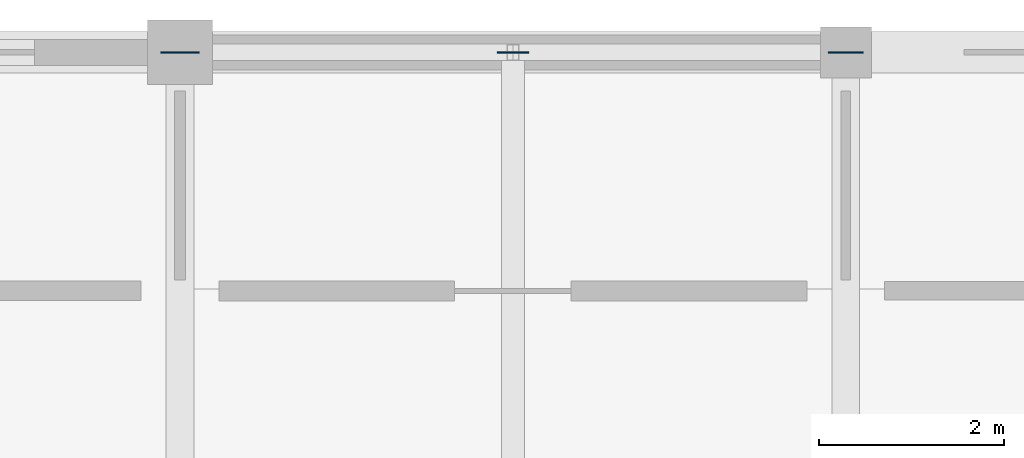
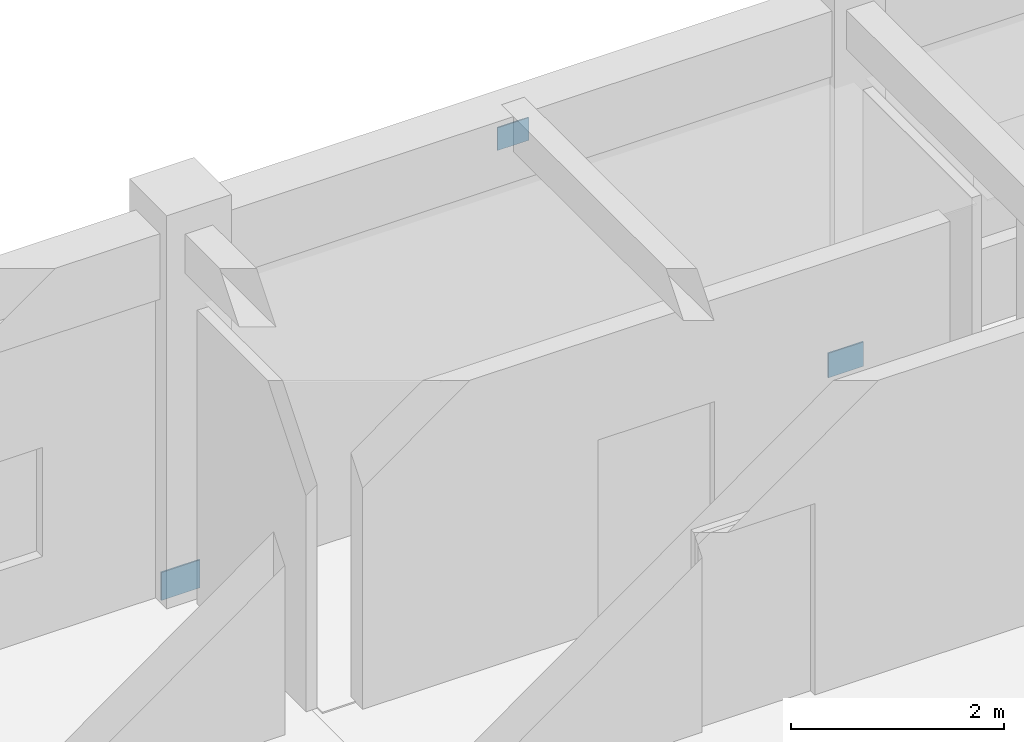
# One storey, part 114 of 171: 3 plates.
"""IFC4 building model written with IfcOpenShell, lengths in metres."""

from ifc_helpers import new_model, si_unit, direction, frame, origin, origin_2d, place, context, subcontext, project, spatial, rectangle, extrude, material, layer, layer_set, type_object, element, save


model = new_model("IFC4")

# Units and contexts
model_context = context("Model", 3, precision=1e-05, world=origin(), true_north=direction((0.0, 1.0)))
body_context = subcontext(model_context, "Body", "Model", "MODEL_VIEW")
ifc_project = project(units=[si_unit("LENGTHUNIT", "METRE"), si_unit("AREAUNIT", "SQUARE_METRE"), si_unit("VOLUMEUNIT", "CUBIC_METRE"), si_unit("PLANEANGLEUNIT", "RADIAN"), si_unit("MASSUNIT", "GRAM", prefix="KILO")], contexts=[model_context])

# Site, building, storey
site_placement = place(None, origin())
site = spatial("IfcSite", under=ifc_project, at=site_placement, CompositionType="ELEMENT")
building_placement = place(site_placement, origin())
building = spatial("IfcBuilding", under=site, at=building_placement, Name="Aldebral Square Health Centre", CompositionType="ELEMENT")
storey_placement = place(building_placement, frame((0.0, 0.0, 4.5)))
storey = spatial("IfcBuildingStorey", under=building, at=storey_placement, Name="L01", CompositionType="ELEMENT", Elevation=4.5)

# Plates
ifc_material = material(Name="Steel S355JR", Category="steel")
ifc_layer_1 = layer(ifc_material, 0.01611328125, Name="Steel S355JR", Category="steel")
ifc_layer_set_1 = layer_set([ifc_layer_1], Name="Steel S355JR")
plate_type_1 = type_object("IfcPlateType", Name="PL-GUS-1", PredefinedType="USERDEFINED", material=ifc_layer_set_1)
plate_1_placement = place(storey_placement, frame((28.800048828125, 115.199951171875, -0.16015625), z_axis=(0.0, 0.0, 1.0), x_axis=(1.0, 0.0, 0.0)))
element("IfcPlate", 1, at=plate_1_placement, inside=storey, type_object=plate_type_1, Name="L01 north chevron brace 5 west base gusset plate", ObjectType="GUSSET_PLATE", PredefinedType="USERDEFINED", context=body_context, shape_type="SweptSolid", body=[
    extrude(rectangle(XDim=0.419921875, YDim=0.01611328125, at=origin_2d()), origin(), (0.0, 0.0, 1.0), 0.320068359375),
])
ifc_layer_2 = layer(ifc_material, 0.01611328125, Name="Steel S355JR", Category="steel")
ifc_layer_set_2 = layer_set([ifc_layer_2], Name="Steel S355JR")
plate_type_2 = type_object("IfcPlateType", Name="PL-GUS-2", PredefinedType="USERDEFINED", material=ifc_layer_set_2)
plate_2_placement = place(storey_placement, frame((36.0, 115.199951171875, -0.14013671875), z_axis=(0.0, 0.0, 1.0), x_axis=(1.0, 0.0, 0.0)))
element("IfcPlate", 2, at=plate_2_placement, inside=storey, type_object=plate_type_2, Name="L01 north chevron brace 5 east base gusset plate", ObjectType="GUSSET_PLATE", PredefinedType="USERDEFINED", context=body_context, shape_type="SweptSolid", body=[
    extrude(rectangle(XDim=0.3798828125, YDim=0.01611328125, at=origin_2d()), origin(), (0.0, 0.0, 1.0), 0.280029296875),
])
ifc_layer_3 = layer(ifc_material, 0.013916015625, Name="Steel S355JR", Category="steel")
ifc_layer_set_3 = layer_set([ifc_layer_3], Name="Steel S355JR")
plate_type_3 = type_object("IfcPlateType", Name="PL-GUS-3", PredefinedType="USERDEFINED", material=ifc_layer_set_3)
plate_3_placement = place(storey_placement, frame((32.39990234375, 115.199951171875, 3.71484375), z_axis=(0.0, 0.0, 1.0), x_axis=(1.0, 0.0, 0.0)))
element("IfcPlate", 3, at=plate_3_placement, inside=storey, type_object=plate_type_3, Name="L01 north chevron brace 5 apex gusset plate", ObjectType="GUSSET_PLATE", PredefinedType="USERDEFINED", context=body_context, shape_type="SweptSolid", body=[
    extrude(rectangle(XDim=0.340087890625, YDim=0.013916015625, at=origin_2d()), origin(), (0.0, 0.0, 1.0), 0.260009765625),
])

save(model, "model.ifc")
